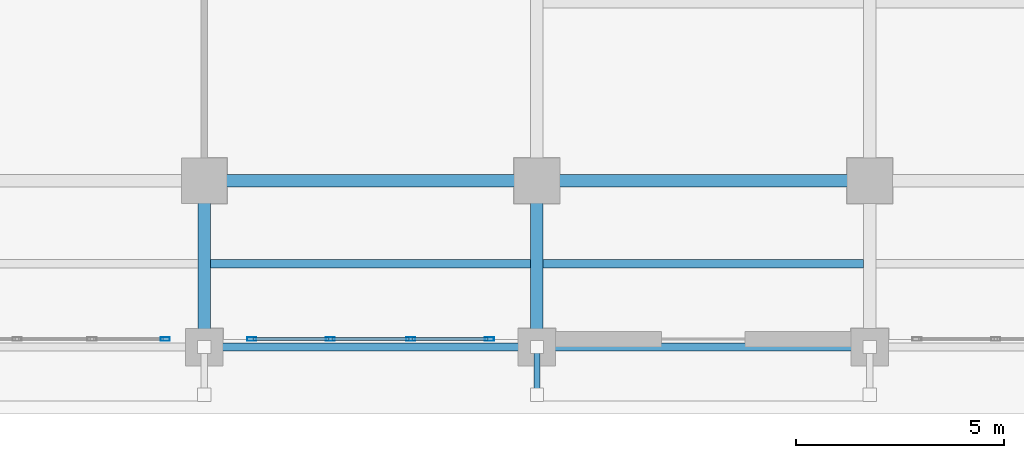
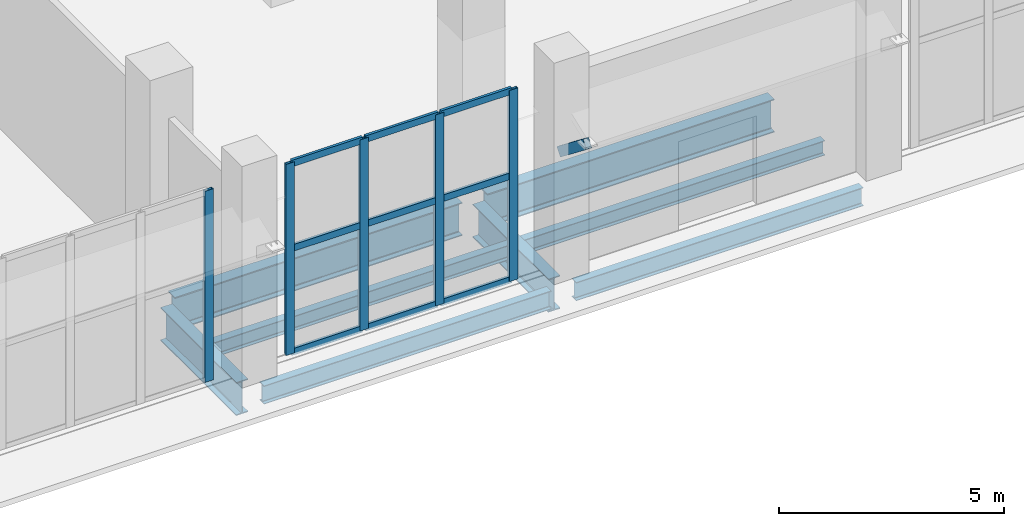
# One storey, part 4 of 19: 15 members, 8 beams, 2 elements without a shape of their own.
"""IFC4 building model written with IfcOpenShell, lengths in metres."""

from ifc_helpers import new_model, si_unit, direction, frame, origin, origin_2d, place, context, subcontext, project, spatial, hollow_rectangle, i_section, extrude, material, layer, layer_set, material_profile, profile_set, type_object, element, aggregate, save


model = new_model("IFC4")

# Units and contexts
model_context = context("Model", 3, precision=1e-05, world=origin(), true_north=direction((0.0, 1.0)))
body_context = subcontext(model_context, "Body", "Model", "MODEL_VIEW")
ifc_project = project(units=[si_unit("LENGTHUNIT", "METRE"), si_unit("AREAUNIT", "SQUARE_METRE"), si_unit("VOLUMEUNIT", "CUBIC_METRE"), si_unit("PLANEANGLEUNIT", "RADIAN"), si_unit("MASSUNIT", "GRAM", prefix="KILO")], contexts=[model_context])

# Site, building, storey
site_placement = place(None, origin())
site = spatial("IfcSite", under=ifc_project, at=site_placement, CompositionType="ELEMENT")
building_placement = place(site_placement, origin())
building = spatial("IfcBuilding", under=site, at=building_placement, Name="Qianrong Seaharbour Tower", CompositionType="ELEMENT")
storey_placement = place(building_placement, origin())
storey = spatial("IfcBuildingStorey", under=building, at=storey_placement, Name="L01", CompositionType="ELEMENT", Elevation=0.0)

# Beams
ifc_material_1 = material(Name="Structural steel SN490B", Category="steel")
ifc_material_profile_1 = material_profile(ifc_material_1, i_section(OverallWidth=0.300048828125, OverallDepth=0.89990234375, WebThickness=0.01611328125, FlangeThickness=0.028076171875, FilletRadius=0.028076171875, at=origin_2d()), Name="H900x300x16x28")
ifc_profile_set_1 = profile_set([ifc_material_profile_1], Name="Structural steel SN490B")
beam_type_1 = type_object("IfcBeamType", Name="BM-G-900", PredefinedType="BEAM", material=ifc_profile_set_1)
for number, where, z_axis, x_axis, name in (
    (1, (16.820068359375, 4.0, -0.8701171875), (1.0, 0.0, 0.0), (0.0, 1.0, 0.0), "L01 Primary Girder GB G3-G4"),
    (2, (24.820068359375, 4.0, -0.8701171875), (1.0, 0.0, 0.0), (0.0, 1.0, 0.0), "L01 Primary Girder GB G4-G5"),
):
    element("IfcBeam", number, at=place(storey_placement, frame(where, z_axis=z_axis, x_axis=x_axis)), inside=storey, type_object=beam_type_1, Name=name, PredefinedType="BEAM", context=body_context, shape_type="SweptSolid", body=[
        extrude(i_section(OverallWidth=0.300048828125, OverallDepth=0.89990234375, WebThickness=0.01611328125, FlangeThickness=0.028076171875, FilletRadius=0.028076171875, at=origin_2d()), origin(), (0.0, 0.0, 1.0), 7.35986328125),
    ])
for number, where, z_axis, x_axis, name in (
    (3, (16.5, 0.320068359375, -0.8701171875), (0.0, 1.0, 0.0), (-1.0, 0.0, 0.0), "L01 Primary Girder G3 GA-GB"),
    (4, (24.5, 0.320068359375, -0.8701171875), (0.0, 1.0, 0.0), (-1.0, 0.0, 0.0), "L01 Primary Girder G4 GA-GB"),
):
    element("IfcBeam", number, at=place(storey_placement, frame(where, z_axis=z_axis, x_axis=x_axis)), inside=storey, type_object=beam_type_1, Name=name, PredefinedType="BEAM", context=body_context, shape_type="SweptSolid", body=[
        extrude(i_section(OverallWidth=0.300048828125, OverallDepth=0.89990234375, WebThickness=0.01611328125, FlangeThickness=0.028076171875, FilletRadius=0.028076171875, at=origin_2d()), origin(), (0.0, 0.0, 1.0), 3.35986328125),
    ])
ifc_material_2 = material(Name="Structural steel SN400B", Category="steel")
ifc_material_profile_2 = material_profile(ifc_material_2, i_section(OverallWidth=0.199951171875, OverallDepth=0.39990234375, WebThickness=0.008056640625, FlangeThickness=0.012939453125, FilletRadius=0.01611328125, at=origin_2d()), Name="H400x200x8x13")
ifc_profile_set_2 = profile_set([ifc_material_profile_2], Name="Structural steel SN400B")
beam_type_2 = type_object("IfcBeamType", Name="BM-J-400", PredefinedType="JOIST", material=ifc_profile_set_2)
for number, where, z_axis, x_axis, name in (
    (5, (16.64990234375, 2.0, -0.6201171875), (1.0, 0.0, 0.0), (0.0, 1.0, 0.0), "L01 Composite Floor Joist G3-G4/GA-GB"),
    (6, (24.64990234375, 2.0, -0.6201171875), (1.0, 0.0, 0.0), (0.0, 1.0, 0.0), "L01 Composite Floor Joist G4-G5/GA-GB"),
):
    element("IfcBeam", number, at=place(storey_placement, frame(where, z_axis=z_axis, x_axis=x_axis)), inside=storey, type_object=beam_type_2, Name=name, PredefinedType="JOIST", context=body_context, shape_type="SweptSolid", body=[
        extrude(i_section(OverallWidth=0.199951171875, OverallDepth=0.39990234375, WebThickness=0.008056640625, FlangeThickness=0.012939453125, FilletRadius=0.01611328125, at=origin_2d()), origin(), (0.0, 0.0, 1.0), 7.7001953125),
    ])
ifc_material_profile_3 = material_profile(ifc_material_1, i_section(OverallWidth=0.199951171875, OverallDepth=0.5, WebThickness=0.010009765625, FlangeThickness=0.01611328125, FilletRadius=0.02001953125, at=origin_2d()), Name="H500x200x10x16")
ifc_profile_set_3 = profile_set([ifc_material_profile_3], Name="Structural steel SN490B")
beam_type_3 = type_object("IfcBeamType", Name="BM-SP-500", PredefinedType="SPANDREL", material=ifc_profile_set_3)
for number, where, z_axis, x_axis, name in (
    (7, (16.820068359375, 0.0, -0.669921875), (1.0, 0.0, 0.0), (0.0, 1.0, 0.0), "L01 Spandrel Girder GA G3-G4"),
    (8, (24.820068359375, 0.0, -0.669921875), (1.0, 0.0, 0.0), (0.0, 1.0, 0.0), "L01 Spandrel Girder GA G4-G5"),
):
    element("IfcBeam", number, at=place(storey_placement, frame(where, z_axis=z_axis, x_axis=x_axis)), inside=storey, type_object=beam_type_3, Name=name, PredefinedType="SPANDREL", context=body_context, shape_type="SweptSolid", body=[
        extrude(i_section(OverallWidth=0.199951171875, OverallDepth=0.5, WebThickness=0.010009765625, FlangeThickness=0.01611328125, FilletRadius=0.02001953125, at=origin_2d()), origin(), (0.0, 0.0, 1.0), 7.35986328125),
    ])

# Curtain wall, member
ifc_material_3 = material(Name="Anodised aluminium 6063-T6 and laminated low-e glass", Category="aluminium")
ifc_layer = layer(ifc_material_3, 0.219970703125)
ifc_layer_set = layer_set([ifc_layer], Name="Anodised aluminium 6063-T6 and laminated low-e glass")
curtain_wall_type = type_object("IfcCurtainWallType", Name="CW-SYS-1", PredefinedType="NOTDEFINED", material=ifc_layer_set)
curtain_wall_1_placement = place(storey_placement, origin())
curtain_wall_1 = element("IfcCurtainWall", 9, at=curtain_wall_1_placement, inside=storey, type_object=curtain_wall_type, Name="L01 Waterfront Colonnade Curtain Wall Bay 1", PredefinedType="NOTDEFINED")
ifc_material_4 = material(Name="Extruded aluminium 6063-T6", Category="aluminium")
ifc_material_profile_4 = material_profile(ifc_material_4, hollow_rectangle(XDim=0.080078125, YDim=0.219970703125, WallThickness=0.0048828125, at=origin_2d()), Name="ALU-MUL-220x80x5")
ifc_profile_set_4 = profile_set([ifc_material_profile_4], Name="Extruded aluminium 6063-T6")
member_type_1 = type_object("IfcMemberType", Name="CW-MUL-220", PredefinedType="MULLION", material=ifc_profile_set_4)
member_1_placement = place(storey_placement, frame((15.56005859375, 0.18994140625, 0.0), z_axis=(0.0, 0.0, 1.0), x_axis=(0.0, -1.0, 0.0)))
member_1 = element("IfcMember", 10, at=member_1_placement, type_object=member_type_1, Name="CW-1 mullion 1", PredefinedType="MULLION", context=body_context, shape_type="SweptSolid", body=[
    extrude(hollow_rectangle(XDim=0.080078125, YDim=0.219970703125, WallThickness=0.0048828125, at=origin_2d()), origin(), (0.0, 0.0, 1.0), 5.179931640625),
])
aggregate(curtain_wall_1, [member_1])

# Curtain wall, members
curtain_wall_2_placement = place(storey_placement, origin())
curtain_wall_2 = element("IfcCurtainWall", 11, at=curtain_wall_2_placement, inside=storey, type_object=curtain_wall_type, Name="L01 Waterfront Colonnade Curtain Wall Bay 2", PredefinedType="NOTDEFINED")
member_2_placement = place(storey_placement, frame((23.360107421875, 0.18994140625, 0.0), z_axis=(0.0, 0.0, 1.0), x_axis=(0.0, -1.0, 0.0)))
member_2 = element("IfcMember", 12, at=member_2_placement, type_object=member_type_1, Name="CW-1 mullion 1", PredefinedType="MULLION", context=body_context, shape_type="SweptSolid", body=[
    extrude(hollow_rectangle(XDim=0.080078125, YDim=0.219970703125, WallThickness=0.0048828125, at=origin_2d()), origin(), (0.0, 0.0, 1.0), 5.179931640625),
])
member_3_placement = place(storey_placement, frame((21.466552734375, 0.18994140625, 0.0), z_axis=(0.0, 0.0, 1.0), x_axis=(0.0, -1.0, 0.0)))
member_3 = element("IfcMember", 13, at=member_3_placement, type_object=member_type_1, Name="CW-1 mullion 2", PredefinedType="MULLION", context=body_context, shape_type="SweptSolid", body=[
    extrude(hollow_rectangle(XDim=0.080078125, YDim=0.219970703125, WallThickness=0.0048828125, at=origin_2d()), origin(), (0.0, 0.0, 1.0), 5.179931640625),
])
member_4_placement = place(storey_placement, frame((19.533447265625, 0.18994140625, 0.0), z_axis=(0.0, 0.0, 1.0), x_axis=(0.0, -1.0, 0.0)))
member_4 = element("IfcMember", 14, at=member_4_placement, type_object=member_type_1, Name="CW-1 mullion 3", PredefinedType="MULLION", context=body_context, shape_type="SweptSolid", body=[
    extrude(hollow_rectangle(XDim=0.080078125, YDim=0.219970703125, WallThickness=0.0048828125, at=origin_2d()), origin(), (0.0, 0.0, 1.0), 5.179931640625),
])
member_5_placement = place(storey_placement, frame((17.639892578125, 0.18994140625, 0.0), z_axis=(0.0, 0.0, 1.0), x_axis=(0.0, -1.0, 0.0)))
member_5 = element("IfcMember", 15, at=member_5_placement, type_object=member_type_1, Name="CW-1 mullion 4", PredefinedType="MULLION", context=body_context, shape_type="SweptSolid", body=[
    extrude(hollow_rectangle(XDim=0.080078125, YDim=0.219970703125, WallThickness=0.0048828125, at=origin_2d()), origin(), (0.0, 0.0, 1.0), 5.179931640625),
])
ifc_material_profile_5 = material_profile(ifc_material_4, hollow_rectangle(XDim=0.070068359375, YDim=0.179931640625, WallThickness=0.00390625, at=origin_2d()), Name="ALU-TRN-180x70x4")
ifc_profile_set_5 = profile_set([ifc_material_profile_5], Name="Extruded aluminium 6063-T6")
member_type_2 = type_object("IfcMemberType", Name="CW-TRN-180", PredefinedType="USERDEFINED", material=ifc_profile_set_5)
member_6_placement = place(storey_placement, frame((23.320068359375, 0.18994140625, 0.034912109375), z_axis=(-1.0, 0.0, 0.0), x_axis=(0.0, -1.0, 0.0)))
member_6 = element("IfcMember", 16, at=member_6_placement, type_object=member_type_2, Name="CW-1 transom 1.1", ObjectType="TRANSOM", PredefinedType="USERDEFINED", context=body_context, shape_type="SweptSolid", body=[
    extrude(hollow_rectangle(XDim=0.070068359375, YDim=0.179931640625, WallThickness=0.00390625, at=origin_2d()), origin(), (0.0, 0.0, 1.0), 1.8134765625),
])
member_7_placement = place(storey_placement, frame((23.320068359375, 0.18994140625, 2.84912109375), z_axis=(-1.0, 0.0, 0.0), x_axis=(0.0, -1.0, 0.0)))
member_7 = element("IfcMember", 17, at=member_7_placement, type_object=member_type_2, Name="CW-1 transom 1.2", ObjectType="TRANSOM", PredefinedType="USERDEFINED", context=body_context, shape_type="SweptSolid", body=[
    extrude(hollow_rectangle(XDim=0.070068359375, YDim=0.179931640625, WallThickness=0.00390625, at=origin_2d()), origin(), (0.0, 0.0, 1.0), 1.8134765625),
])
member_8_placement = place(storey_placement, frame((23.320068359375, 0.18994140625, 5.14501953125), z_axis=(-1.0, 0.0, 0.0), x_axis=(0.0, -1.0, 0.0)))
member_8 = element("IfcMember", 18, at=member_8_placement, type_object=member_type_2, Name="CW-1 transom 1.3", ObjectType="TRANSOM", PredefinedType="USERDEFINED", context=body_context, shape_type="SweptSolid", body=[
    extrude(hollow_rectangle(XDim=0.070068359375, YDim=0.179931640625, WallThickness=0.00390625, at=origin_2d()), origin(), (0.0, 0.0, 1.0), 1.8134765625),
])
member_9_placement = place(storey_placement, frame((21.4267578125, 0.18994140625, 0.034912109375), z_axis=(-1.0, 0.0, 0.0), x_axis=(0.0, -1.0, 0.0)))
member_9 = element("IfcMember", 19, at=member_9_placement, type_object=member_type_2, Name="CW-1 transom 2.1", ObjectType="TRANSOM", PredefinedType="USERDEFINED", context=body_context, shape_type="SweptSolid", body=[
    extrude(hollow_rectangle(XDim=0.070068359375, YDim=0.179931640625, WallThickness=0.00390625, at=origin_2d()), origin(), (0.0, 0.0, 1.0), 1.853515625),
])
member_10_placement = place(storey_placement, frame((21.4267578125, 0.18994140625, 2.84912109375), z_axis=(-1.0, 0.0, 0.0), x_axis=(0.0, -1.0, 0.0)))
member_10 = element("IfcMember", 20, at=member_10_placement, type_object=member_type_2, Name="CW-1 transom 2.2", ObjectType="TRANSOM", PredefinedType="USERDEFINED", context=body_context, shape_type="SweptSolid", body=[
    extrude(hollow_rectangle(XDim=0.070068359375, YDim=0.179931640625, WallThickness=0.00390625, at=origin_2d()), origin(), (0.0, 0.0, 1.0), 1.853515625),
])
member_11_placement = place(storey_placement, frame((21.4267578125, 0.18994140625, 5.14501953125), z_axis=(-1.0, 0.0, 0.0), x_axis=(0.0, -1.0, 0.0)))
member_11 = element("IfcMember", 21, at=member_11_placement, type_object=member_type_2, Name="CW-1 transom 2.3", ObjectType="TRANSOM", PredefinedType="USERDEFINED", context=body_context, shape_type="SweptSolid", body=[
    extrude(hollow_rectangle(XDim=0.070068359375, YDim=0.179931640625, WallThickness=0.00390625, at=origin_2d()), origin(), (0.0, 0.0, 1.0), 1.853515625),
])
member_12_placement = place(storey_placement, frame((19.493408203125, 0.18994140625, 0.034912109375), z_axis=(-1.0, 0.0, 0.0), x_axis=(0.0, -1.0, 0.0)))
member_12 = element("IfcMember", 22, at=member_12_placement, type_object=member_type_2, Name="CW-1 transom 3.1", ObjectType="TRANSOM", PredefinedType="USERDEFINED", context=body_context, shape_type="SweptSolid", body=[
    extrude(hollow_rectangle(XDim=0.070068359375, YDim=0.179931640625, WallThickness=0.00390625, at=origin_2d()), origin(), (0.0, 0.0, 1.0), 1.8134765625),
])
member_13_placement = place(storey_placement, frame((19.493408203125, 0.18994140625, 2.84912109375), z_axis=(-1.0, 0.0, 0.0), x_axis=(0.0, -1.0, 0.0)))
member_13 = element("IfcMember", 23, at=member_13_placement, type_object=member_type_2, Name="CW-1 transom 3.2", ObjectType="TRANSOM", PredefinedType="USERDEFINED", context=body_context, shape_type="SweptSolid", body=[
    extrude(hollow_rectangle(XDim=0.070068359375, YDim=0.179931640625, WallThickness=0.00390625, at=origin_2d()), origin(), (0.0, 0.0, 1.0), 1.8134765625),
])
member_14_placement = place(storey_placement, frame((19.493408203125, 0.18994140625, 5.14501953125), z_axis=(-1.0, 0.0, 0.0), x_axis=(0.0, -1.0, 0.0)))
member_14 = element("IfcMember", 24, at=member_14_placement, type_object=member_type_2, Name="CW-1 transom 3.3", ObjectType="TRANSOM", PredefinedType="USERDEFINED", context=body_context, shape_type="SweptSolid", body=[
    extrude(hollow_rectangle(XDim=0.070068359375, YDim=0.179931640625, WallThickness=0.00390625, at=origin_2d()), origin(), (0.0, 0.0, 1.0), 1.8134765625),
])
aggregate(curtain_wall_2, [member_2, member_3, member_4, member_5, member_6, member_7, member_8, member_9, member_10, member_11, member_12, member_13, member_14])

# Member
ifc_material_profile_6 = material_profile(ifc_material_2, hollow_rectangle(XDim=0.14990234375, YDim=0.25, WallThickness=0.009033203125, at=origin_2d()), Name="RHS250x150x9")
ifc_profile_set_6 = profile_set([ifc_material_profile_6], Name="Structural steel SN400B")
member_type_3 = type_object("IfcMemberType", Name="MEM-STRUT-250", PredefinedType="STRUT", material=ifc_profile_set_6)
member_15_placement = place(storey_placement, frame((24.5, 0.0, 3.199951171875), z_axis=(0.0, -0.78743090963, 0.616402922251), x_axis=(1.0, 0.0, 0.0)))
element("IfcMember", 25, at=member_15_placement, inside=storey, type_object=member_type_3, Name="Colonnade Canopy Support Strut 2W", PredefinedType="STRUT", context=body_context, shape_type="SweptSolid", body=[
    extrude(hollow_rectangle(XDim=0.14990234375, YDim=0.25, WallThickness=0.009033203125, at=origin_2d()), origin(), (0.0, 0.0, 1.0), 1.460205078125),
])

save(model, "model.ifc")
